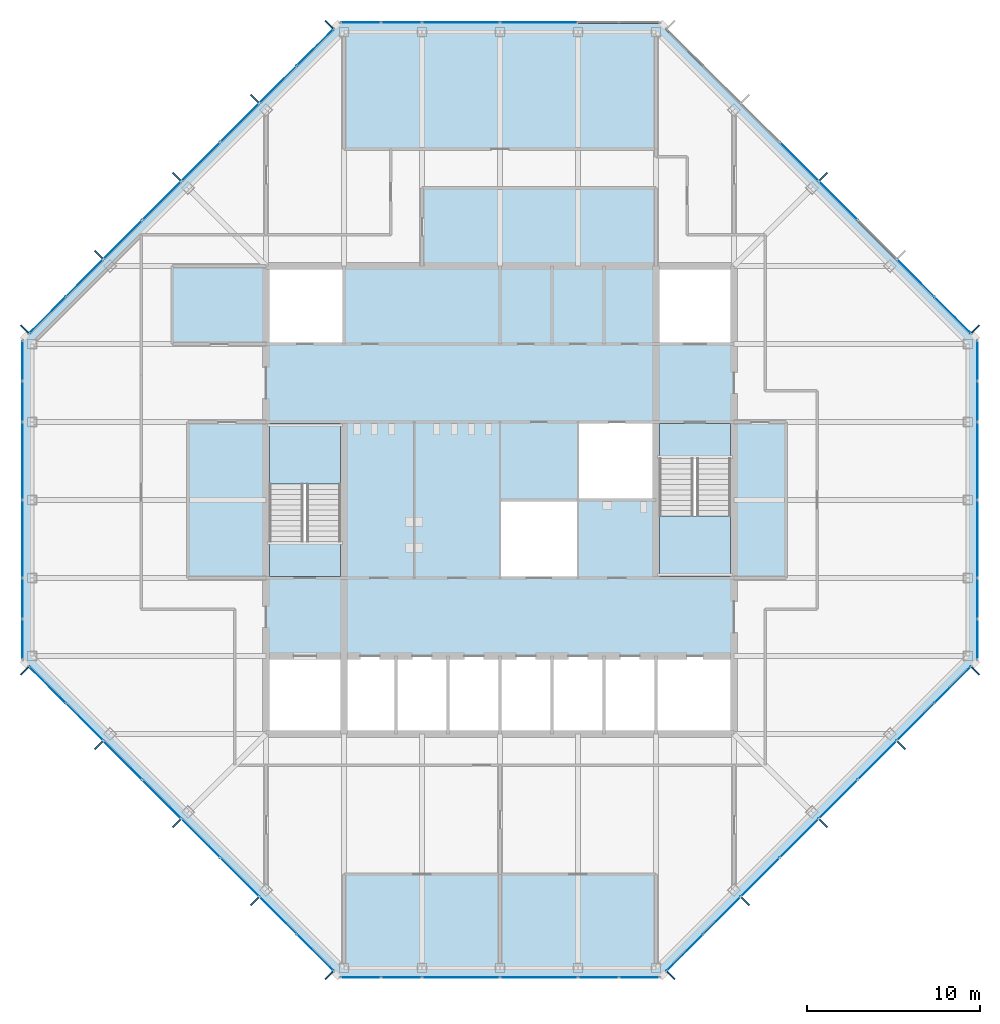
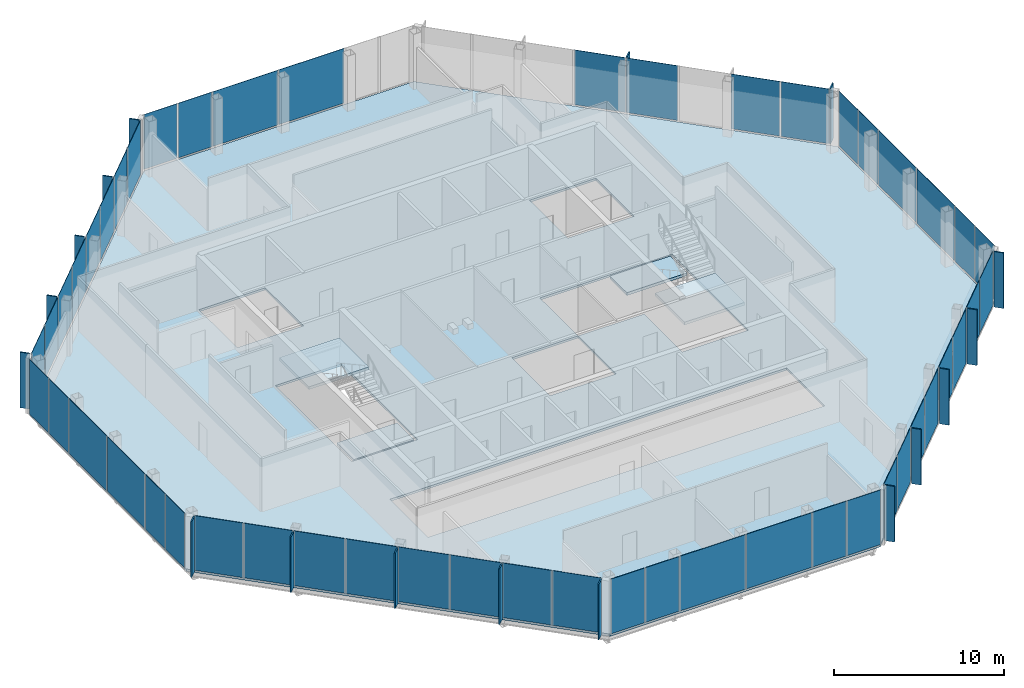
# One storey, part 8 of 13: 67 plates, 5 slabs, 10 elements without a shape of their own.
"""IFC4 building model written with IfcOpenShell, lengths in metres."""

import ifcopenshell
import ifcopenshell.guid

model = None  # the IFC model being written
_history = None  # IfcOwnerHistory: only IFC2X3 demands one
_inside = {}  # id of a spatial element -> (the spatial element, [elements in it])
_under = {}  # id of a project, library or spatial element -> (it, [spatial elements below it])
_declared = {}  # id of a project -> (the project, [libraries it declares])
_typed = {}  # id of a type object -> (the type object, [elements of that type])
_made_of = {}  # id of a material, layer set ... -> (it, [elements and type objects made of it])


def new_model(schema):
    """Start an empty IFC model of exactly this schema.

    Asked for "IFC4X3", IfcOpenShell would pick the latest addendum, in which some entities
    have other attributes; the version numbers below select the first issue.
    IFC2X3 requires an IfcOwnerHistory on every rooted entity: one is made here for all.
    """
    global model, _history
    if schema == "IFC4X3":
        model = ifcopenshell.file(schema_version=(4, 3, 0, 0))
    else:
        model = ifcopenshell.file(schema=schema)
    _inside.clear()
    _under.clear()
    _declared.clear()
    _typed.clear()
    _made_of.clear()
    _history = None
    if model.schema == "IFC2X3":
        org = make("IfcOrganization", Name="unknown")
        user = make(
            "IfcPersonAndOrganization",
            ThePerson=make("IfcPerson", FamilyName="unknown"),
            TheOrganization=org,
        )
        app = make(
            "IfcApplication",
            ApplicationDeveloper=org,
            Version="unknown",
            ApplicationFullName="unknown",
            ApplicationIdentifier="unknown",
        )
        _history = make(
            "IfcOwnerHistory",
            OwningUser=user,
            OwningApplication=app,
            ChangeAction="ADDED",
            CreationDate=0,
        )
    return model


def make(cls, **values):
    """One entity of the class cls with the attributes given. An attribute that is None is left unset."""
    return model.create_entity(
        cls, **{name: value for name, value in values.items() if value is not None}
    )


def rooted(cls, **values):
    """An entity with a GlobalId (a new one), such as an element, a storey or a relation."""
    return make(cls, GlobalId=ifcopenshell.guid.new(), OwnerHistory=_history, **values)


def si_unit(unit_type, name, prefix=None):
    """IfcSIUnit, for example si_unit("LENGTHUNIT", "METRE", prefix="MILLI")."""
    return make("IfcSIUnit", UnitType=unit_type, Prefix=prefix, Name=name)


def assignment(units):
    """IfcUnitAssignment: the units of a project."""
    return None if units is None else make("IfcUnitAssignment", Units=units)


def point(xyz):
    """IfcCartesianPoint."""
    return None if xyz is None else make("IfcCartesianPoint", Coordinates=xyz)


def direction(xyz):
    """IfcDirection."""
    return None if xyz is None else make("IfcDirection", DirectionRatios=xyz)


def frame(location, z_axis=None, x_axis=None):
    """IfcAxis2Placement3D, a coordinate frame: its origin and axes. An axis left out is left unset."""
    return make(
        "IfcAxis2Placement3D",
        Location=point(location),
        Axis=direction(z_axis),
        RefDirection=direction(x_axis),
    )


def frame_2d(location, x_axis=None):
    """IfcAxis2Placement2D, a coordinate frame in the plane: its origin and x axis."""
    return make(
        "IfcAxis2Placement2D", Location=point(location), RefDirection=direction(x_axis)
    )


def origin():
    """The frame at (0, 0, 0) with its axes left unset."""
    return frame((0.0, 0.0, 0.0))


def origin_2d():
    """The frame at (0, 0) in the plane with its x axis left unset."""
    return frame_2d((0.0, 0.0))


def place(relative_to, where):
    """IfcLocalPlacement: puts the frame where relative to a parent placement (None: the world)."""
    return make(
        "IfcLocalPlacement", PlacementRelTo=relative_to, RelativePlacement=where
    )


def context(
    kind, dimensions, precision=None, world=None, true_north=None, identifier=None
):
    """IfcGeometricRepresentationContext, for example the 3D "Model" context."""
    return make(
        "IfcGeometricRepresentationContext",
        ContextIdentifier=identifier,
        ContextType=kind,
        CoordinateSpaceDimension=dimensions,
        Precision=precision,
        WorldCoordinateSystem=world,
        TrueNorth=true_north,
    )


def subcontext(parent, identifier, kind, view, scale=None):
    """IfcGeometricRepresentationSubContext, for example "Body" below "Model"."""
    return make(
        "IfcGeometricRepresentationSubContext",
        ContextIdentifier=identifier,
        ContextType=kind,
        ParentContext=parent,
        TargetScale=scale,
        TargetView=view,
    )


def project(units=None, contexts=None):
    """IfcProject with its units and contexts."""
    return rooted(
        "IfcProject",
        Name="project",
        RepresentationContexts=contexts,
        UnitsInContext=assignment(units),
    )


def spatial(cls, under=None, at=None, **own):
    """A site, building, storey or space (cls), placed at a placement, below another one or the project."""
    s = rooted(cls, ObjectPlacement=at, **own)
    if under is not None:
        _under.setdefault(under.id(), (under, []))[1].append(s)
    return s


def polyline(points):
    """IfcPolyline through the points."""
    return make("IfcPolyline", Points=[point(p) for p in points])


def profile(cls, at=None, kind="AREA", **sizes):
    """A parametric profile (cls). Its sizes go by their IFC names, for example OverallWidth=200.0."""
    return make(cls, ProfileType=kind, Position=at, **sizes)


def rectangle(**sizes):
    """IfcRectangleProfileDef."""
    return profile("IfcRectangleProfileDef", **sizes)


def outline(outer, holes=None, kind="AREA"):
    """IfcArbitraryClosedProfileDef: a profile drawn as a closed curve; with holes, ...WithVoids."""
    if holes is None:
        return make("IfcArbitraryClosedProfileDef", ProfileType=kind, OuterCurve=outer)
    return make(
        "IfcArbitraryProfileDefWithVoids",
        ProfileType=kind,
        OuterCurve=outer,
        InnerCurves=holes,
    )


def extrude(swept, where, along, depth):
    """IfcExtrudedAreaSolid: the profile swept, set in the frame where, extruded along a direction by depth."""
    return make(
        "IfcExtrudedAreaSolid",
        SweptArea=swept,
        Position=where,
        ExtrudedDirection=direction(along),
        Depth=depth,
    )


def shape(context_of_items, identifier, shape_type, items):
    """IfcShapeRepresentation: the items that make up one representation, for example the "Body"."""
    return make(
        "IfcShapeRepresentation",
        ContextOfItems=context_of_items,
        RepresentationIdentifier=identifier,
        RepresentationType=shape_type,
        Items=items,
    )


def material(Name=None, Category=None):
    """IfcMaterial."""
    return make("IfcMaterial", Name=Name, Category=Category)


def layer(
    of_material, thickness, ventilated=None, Name=None, Category=None, Priority=None
):
    """IfcMaterialLayer: one layer of a wall or slab, of a material (None: an air gap)."""
    return make(
        "IfcMaterialLayer",
        Material=of_material,
        LayerThickness=thickness,
        IsVentilated=ventilated,
        Name=Name,
        Category=Category,
        Priority=Priority,
    )


def layer_set(layers, Name=None):
    """IfcMaterialLayerSet."""
    return make("IfcMaterialLayerSet", MaterialLayers=layers, LayerSetName=Name)


def made_of(thing, what):
    """Note that an element or type object is made of a material, layer set ...; save() writes the relation."""
    if what is not None:
        _made_of.setdefault(what.id(), (what, []))[1].append(thing)
    return thing


def type_object(cls, material=None, **own):
    """A type object (cls), such as IfcWallType, which elements share."""
    return made_of(rooted(cls, **own), material)


def element(
    cls,
    number,
    at=None,
    inside=None,
    cuts=None,
    type_object=None,
    material=None,
    context=None,
    identifier="Body",
    shape_type=None,
    held_by="IfcProductDefinitionShape",
    body=None,
    shapes=None,
    **own,
):
    """One element of the class cls, such as IfcWall. Its Tag is "e" and its number.

    at: its placement. inside: the storey or other place that contains it. cuts: it is an
    opening in that element (IfcRelVoidsElement). A single representation is given by context,
    identifier, shape_type and body (its items); several are given by shapes. held_by: the class
    of the entity that holds the representations. save() writes the other relations.
    """
    e = rooted(cls, Tag="e%d" % number, ObjectPlacement=at, **own)
    if body is not None:
        shapes = [shape(context, identifier, shape_type, body)]
    if shapes is not None:
        e.Representation = make(held_by, Representations=shapes)
    if inside is not None:
        _inside.setdefault(inside.id(), (inside, []))[1].append(e)
    if cuts is not None:
        rooted(
            "IfcRelVoidsElement", RelatingBuildingElement=cuts, RelatedOpeningElement=e
        )
    if type_object is not None:
        _typed.setdefault(type_object.id(), (type_object, []))[1].append(e)
    return made_of(e, material)


def aggregate(whole, parts):
    """IfcRelAggregates: a whole, such as a stair, and the parts it consists of."""
    return rooted("IfcRelAggregates", RelatingObject=whole, RelatedObjects=parts)


def save(model, path):
    """Write the relations noted so far, then the file.

    IfcRelAggregates (storeys below a building ...), IfcRelContainedInSpatialStructure (elements
    in a storey), IfcRelDefinesByType, IfcRelAssociatesMaterial and IfcRelDeclares: one each for
    every whole, place, type object, material and project.
    """
    for whole, parts in _under.values():
        aggregate(whole, parts)
    for where, things in _inside.values():
        rooted(
            "IfcRelContainedInSpatialStructure",
            RelatedElements=things,
            RelatingStructure=where,
        )
    for kind, things in _typed.values():
        rooted("IfcRelDefinesByType", RelatedObjects=things, RelatingType=kind)
    for what, things in _made_of.values():
        rooted("IfcRelAssociatesMaterial", RelatedObjects=things, RelatingMaterial=what)
    for by, libraries in _declared.values():
        rooted("IfcRelDeclares", RelatingContext=by, RelatedDefinitions=libraries)
    model.write(path)


model = new_model("IFC4")

# Units and contexts
model_context = context("Model", 3, precision=1e-05, world=origin(), true_north=direction((0.0, 1.0)))
body_context = subcontext(model_context, "Body", "Model", "MODEL_VIEW")
ifc_project = project(units=[si_unit("LENGTHUNIT", "METRE"), si_unit("AREAUNIT", "SQUARE_METRE"), si_unit("VOLUMEUNIT", "CUBIC_METRE"), si_unit("PLANEANGLEUNIT", "RADIAN"), si_unit("MASSUNIT", "GRAM", prefix="KILO")], contexts=[model_context])

# Site, building, storey
site_placement = place(None, origin())
site = spatial("IfcSite", under=ifc_project, at=site_placement, CompositionType="ELEMENT")
building_placement = place(site_placement, origin())
building = spatial("IfcBuilding", under=site, at=building_placement, Name="Corais Broadcast Tower", CompositionType="ELEMENT")
storey_placement = place(building_placement, frame((0.0, 0.0, 302.60009765625)))
storey = spatial("IfcBuildingStorey", under=building, at=storey_placement, Name="L71", CompositionType="ELEMENT", Elevation=302.60009765625)

# Slab
ifc_material_1 = material(Name="Concrete C30/37", Category="concrete")
ifc_layer_1 = layer(ifc_material_1, 0.159912109375)
ifc_layer_set_1 = layer_set([ifc_layer_1], Name="Concrete C30/37")
slab_type_1 = type_object("IfcSlabType", Name="Composite floor slab 160", PredefinedType="FLOOR", material=ifc_layer_set_1)
slab_1_placement = place(storey_placement, frame((0.0, 0.0, -0.16015625)))
element("IfcSlab", 1, at=slab_1_placement, inside=storey, type_object=slab_type_1, Name="S160 floor slab L71", PredefinedType="FLOOR", context=body_context, shape_type="SweptSolid", body=[
    extrude(outline(polyline([(17.80126953125, -0.47998046875), (-0.47998046875, 17.80126953125), (-0.47998046875, 36.19873046875), (17.80126953125, 54.47998046875), (36.19873046875, 54.47998046875), (54.47998046875, 36.19873046875), (54.47998046875, 17.80126953125), (36.19873046875, -0.47998046875), (17.80126953125, -0.47998046875)]), holes=[polyline([(13.5, 18.0), (40.5, 18.0), (40.5, 13.5), (13.5, 13.5), (13.5, 18.0)]), polyline([(18.0, 22.5), (13.5, 22.5), (13.5, 31.5), (18.0, 31.5), (18.0, 22.5)]), polyline([(18.0, 36.0), (13.5, 36.0), (13.5, 40.5), (18.0, 40.5), (18.0, 36.0)]), polyline([(31.5, 22.5), (27.0, 22.5), (27.0, 27.0), (31.4951171875, 27.0), (31.4951171875, 27.0048828125), (31.5, 27.0048828125), (31.5, 31.5), (40.5, 31.5), (40.5, 22.5), (36.0, 22.5), (36.0, 27.0), (31.5048828125, 27.0), (31.5048828125, 26.9951171875), (31.5, 26.9951171875), (31.5, 22.5)]), polyline([(40.5, 36.0), (36.0, 36.0), (36.0, 40.5), (40.5, 40.5), (40.5, 36.0)])]), origin(), (0.0, 0.0, 1.0), 0.16015625),
])

# Curtain wall, plates
ifc_material_2 = material(Name="Aluminium and glass", Category="aluminium")
curtain_wall_type = type_object("IfcCurtainWallType", Name="Unitised fritted curtain wall CW3", PredefinedType="NOTDEFINED", material=ifc_material_2)
curtain_wall_1_placement = place(storey_placement, origin())
curtain_wall_1 = element("IfcCurtainWall", 2, at=curtain_wall_1_placement, inside=storey, type_object=curtain_wall_type, Name="CW3 curtain wall L71 1", PredefinedType="NOTDEFINED")
ifc_material_3 = material(Name="Ceramic-fritted laminated glass", Category="glass")
ifc_layer_2 = layer(ifc_material_3, 0.02587890625)
ifc_layer_set_2 = layer_set([ifc_layer_2], Name="Ceramic-fritted laminated glass")
plate_type_1 = type_object("IfcPlateType", Name="Fritted glass panel CW3", PredefinedType="CURTAIN_PANEL", material=ifc_layer_set_2)
plate_1_placement = place(storey_placement, frame((16.330322265625, 0.891845703125, 0.06494140625), z_axis=(0.0, 0.0, 1.0), x_axis=(-0.707106781187, 0.707106781187, 0.0)))
plate_1 = element("IfcPlate", 3, at=plate_1_placement, type_object=plate_type_1, Name="CW3 panel 1", PredefinedType="CURTAIN_PANEL", context=body_context, shape_type="SweptSolid", body=[
    extrude(rectangle(XDim=2.9482421875, YDim=0.02587890625, at=origin_2d()), origin(), (0.0, 0.0, 1.0), 3.93505859375),
])
plate_2_placement = place(storey_placement, frame((11.986083984375, 5.236083984375, 0.06494140625), z_axis=(0.0, 0.0, 1.0), x_axis=(-0.707106781187, 0.707106781187, 0.0)))
plate_2 = element("IfcPlate", 4, at=plate_2_placement, type_object=plate_type_1, Name="CW3 panel 3", PredefinedType="CURTAIN_PANEL", context=body_context, shape_type="SweptSolid", body=[
    extrude(rectangle(XDim=3.116943359375, YDim=0.02587890625, at=origin_2d()), origin(), (0.0, 0.0, 1.0), 3.93505859375),
])
plate_3_placement = place(storey_placement, frame((7.486083984375, 9.736083984375, 0.06494140625), z_axis=(0.0, 0.0, 1.0), x_axis=(-0.707106781187, 0.707106781187, 0.0)))
plate_3 = element("IfcPlate", 5, at=plate_3_placement, type_object=plate_type_1, Name="CW3 panel 5", PredefinedType="CURTAIN_PANEL", context=body_context, shape_type="SweptSolid", body=[
    extrude(rectangle(XDim=3.116943359375, YDim=0.02587890625, at=origin_2d()), origin(), (0.0, 0.0, 1.0), 3.93505859375),
])
plate_4_placement = place(storey_placement, frame((3.0341796875, 14.18798828125, 0.06494140625), z_axis=(0.0, 0.0, 1.0), x_axis=(-0.707106781187, 0.707106781187, 0.0)))
plate_4 = element("IfcPlate", 6, at=plate_4_placement, type_object=plate_type_1, Name="CW3 panel 7", PredefinedType="CURTAIN_PANEL", context=body_context, shape_type="SweptSolid", body=[
    extrude(rectangle(XDim=2.98095703125, YDim=0.02587890625, at=origin_2d()), origin(), (0.0, 0.0, 1.0), 3.93505859375),
])

curtain_wall_2_placement = place(storey_placement, origin())
curtain_wall_2 = element("IfcCurtainWall", 7, at=curtain_wall_2_placement, inside=storey, type_object=curtain_wall_type, Name="CW3 curtain wall L71 2", PredefinedType="NOTDEFINED")
plate_5_placement = place(storey_placement, frame((-0.550048828125, 18.970458984375, 0.06494140625), z_axis=(0.0, 0.0, 1.0), x_axis=(0.0, 1.0, 0.0)))
plate_5 = element("IfcPlate", 8, at=plate_5_placement, type_object=plate_type_1, Name="CW3 panel 1", PredefinedType="CURTAIN_PANEL", context=body_context, shape_type="SweptSolid", body=[
    extrude(rectangle(XDim=2.266357421875, YDim=0.02587890625, at=origin_2d()), origin(), (0.0, 0.0, 1.0), 3.93505859375),
])
plate_6_placement = place(storey_placement, frame((-0.550048828125, 24.75, 0.06494140625), z_axis=(0.0, 0.0, 1.0), x_axis=(0.0, 1.0, 0.0)))
plate_6 = element("IfcPlate", 9, at=plate_6_placement, type_object=plate_type_1, Name="CW3 panel 3", PredefinedType="CURTAIN_PANEL", context=body_context, shape_type="SweptSolid", body=[
    extrude(rectangle(XDim=4.43505859375, YDim=0.02587890625, at=origin_2d()), origin(), (0.0, 0.0, 1.0), 3.93505859375),
])
plate_7_placement = place(storey_placement, frame((-0.550048828125, 32.681884765625, 0.06494140625), z_axis=(0.0, 0.0, 1.0), x_axis=(0.0, 1.0, 0.0)))
plate_7 = element("IfcPlate", 10, at=plate_7_placement, type_object=plate_type_1, Name="CW3 panel 5", PredefinedType="CURTAIN_PANEL", context=body_context, shape_type="SweptSolid", body=[
    extrude(rectangle(XDim=2.298828125, YDim=0.02587890625, at=origin_2d()), origin(), (0.0, 0.0, 1.0), 3.93505859375),
])

curtain_wall_3_placement = place(storey_placement, origin())
curtain_wall_3 = element("IfcCurtainWall", 11, at=curtain_wall_3_placement, inside=storey, type_object=curtain_wall_type, Name="CW3 curtain wall L71 3", PredefinedType="NOTDEFINED")
plate_8_placement = place(storey_placement, frame((0.891845703125, 37.669677734375, 0.06494140625), z_axis=(0.0, 0.0, 1.0), x_axis=(0.707106781187, 0.707106781187, 0.0)))
plate_8 = element("IfcPlate", 12, at=plate_8_placement, type_object=plate_type_1, Name="CW3 panel 1", PredefinedType="CURTAIN_PANEL", context=body_context, shape_type="SweptSolid", body=[
    extrude(rectangle(XDim=2.9482421875, YDim=0.02587890625, at=origin_2d()), origin(), (0.0, 0.0, 1.0), 3.93505859375),
])
plate_9_placement = place(storey_placement, frame((5.236083984375, 42.013916015625, 0.06494140625), z_axis=(0.0, 0.0, 1.0), x_axis=(0.707106781187, 0.707106781187, 0.0)))
plate_9 = element("IfcPlate", 13, at=plate_9_placement, type_object=plate_type_1, Name="CW3 panel 3", PredefinedType="CURTAIN_PANEL", context=body_context, shape_type="SweptSolid", body=[
    extrude(rectangle(XDim=3.116943359375, YDim=0.02587890625, at=origin_2d()), origin(), (0.0, 0.0, 1.0), 3.93505859375),
])
plate_10_placement = place(storey_placement, frame((9.736083984375, 46.513916015625, 0.06494140625), z_axis=(0.0, 0.0, 1.0), x_axis=(0.707106781187, 0.707106781187, 0.0)))
plate_10 = element("IfcPlate", 14, at=plate_10_placement, type_object=plate_type_1, Name="CW3 panel 5", PredefinedType="CURTAIN_PANEL", context=body_context, shape_type="SweptSolid", body=[
    extrude(rectangle(XDim=3.116943359375, YDim=0.02587890625, at=origin_2d()), origin(), (0.0, 0.0, 1.0), 3.93505859375),
])
plate_11_placement = place(storey_placement, frame((14.18798828125, 50.9658203125, 0.06494140625), z_axis=(0.0, 0.0, 1.0), x_axis=(0.707106781187, 0.707106781187, 0.0)))
plate_11 = element("IfcPlate", 15, at=plate_11_placement, type_object=plate_type_1, Name="CW3 panel 7", PredefinedType="CURTAIN_PANEL", context=body_context, shape_type="SweptSolid", body=[
    extrude(rectangle(XDim=2.98095703125, YDim=0.02587890625, at=origin_2d()), origin(), (0.0, 0.0, 1.0), 3.93505859375),
])

curtain_wall_4_placement = place(storey_placement, origin())
curtain_wall_4 = element("IfcCurtainWall", 16, at=curtain_wall_4_placement, inside=storey, type_object=curtain_wall_type, Name="CW3 curtain wall L71 4", PredefinedType="NOTDEFINED")
plate_12_placement = place(storey_placement, frame((18.970458984375, 54.550048828125, 0.06494140625), z_axis=(0.0, 0.0, 1.0), x_axis=(1.0, 0.0, 0.0)))
plate_12 = element("IfcPlate", 17, at=plate_12_placement, type_object=plate_type_1, Name="CW3 panel 1", PredefinedType="CURTAIN_PANEL", context=body_context, shape_type="SweptSolid", body=[
    extrude(rectangle(XDim=2.266357421875, YDim=0.02587890625, at=origin_2d()), origin(), (0.0, 0.0, 1.0), 3.93505859375),
])
plate_13_placement = place(storey_placement, frame((24.75, 54.550048828125, 0.06494140625), z_axis=(0.0, 0.0, 1.0), x_axis=(1.0, 0.0, 0.0)))
plate_13 = element("IfcPlate", 18, at=plate_13_placement, type_object=plate_type_1, Name="CW3 panel 3", PredefinedType="CURTAIN_PANEL", context=body_context, shape_type="SweptSolid", body=[
    extrude(rectangle(XDim=4.43505859375, YDim=0.02587890625, at=origin_2d()), origin(), (0.0, 0.0, 1.0), 3.93505859375),
])

curtain_wall_5_placement = place(storey_placement, origin())
curtain_wall_5 = element("IfcCurtainWall", 19, at=curtain_wall_5_placement, inside=storey, type_object=curtain_wall_type, Name="CW3 curtain wall L71 5", PredefinedType="NOTDEFINED")
plate_14_placement = place(storey_placement, frame((46.513916015625, 44.263916015625, 0.06494140625), z_axis=(0.0, 0.0, 1.0), x_axis=(0.707106781187, -0.707106781187, 0.0)))
plate_14 = element("IfcPlate", 20, at=plate_14_placement, type_object=plate_type_1, Name="CW3 panel 5", PredefinedType="CURTAIN_PANEL", context=body_context, shape_type="SweptSolid", body=[
    extrude(rectangle(XDim=3.116943359375, YDim=0.02587890625, at=origin_2d()), origin(), (0.0, 0.0, 1.0), 3.93505859375),
])
plate_15_placement = place(storey_placement, frame((50.9658203125, 39.81201171875, 0.06494140625), z_axis=(0.0, 0.0, 1.0), x_axis=(0.707106781187, -0.707106781187, 0.0)))
plate_15 = element("IfcPlate", 21, at=plate_15_placement, type_object=plate_type_1, Name="CW3 panel 7", PredefinedType="CURTAIN_PANEL", context=body_context, shape_type="SweptSolid", body=[
    extrude(rectangle(XDim=2.98095703125, YDim=0.02587890625, at=origin_2d()), origin(), (0.0, 0.0, 1.0), 3.93505859375),
])

curtain_wall_6_placement = place(storey_placement, origin())
curtain_wall_6 = element("IfcCurtainWall", 22, at=curtain_wall_6_placement, inside=storey, type_object=curtain_wall_type, Name="CW3 curtain wall L71 6", PredefinedType="NOTDEFINED")
plate_16_placement = place(storey_placement, frame((54.550048828125, 35.029541015625, 0.06494140625), z_axis=(0.0, 0.0, 1.0), x_axis=(0.0, -1.0, 0.0)))
plate_16 = element("IfcPlate", 23, at=plate_16_placement, type_object=plate_type_1, Name="CW3 panel 1", PredefinedType="CURTAIN_PANEL", context=body_context, shape_type="SweptSolid", body=[
    extrude(rectangle(XDim=2.266357421875, YDim=0.02587890625, at=origin_2d()), origin(), (0.0, 0.0, 1.0), 3.93505859375),
])
plate_17_placement = place(storey_placement, frame((54.550048828125, 29.25, 0.06494140625), z_axis=(0.0, 0.0, 1.0), x_axis=(0.0, -1.0, 0.0)))
plate_17 = element("IfcPlate", 24, at=plate_17_placement, type_object=plate_type_1, Name="CW3 panel 3", PredefinedType="CURTAIN_PANEL", context=body_context, shape_type="SweptSolid", body=[
    extrude(rectangle(XDim=4.43505859375, YDim=0.02587890625, at=origin_2d()), origin(), (0.0, 0.0, 1.0), 3.93505859375),
])
plate_18_placement = place(storey_placement, frame((54.550048828125, 21.318115234375, 0.06494140625), z_axis=(0.0, 0.0, 1.0), x_axis=(0.0, -1.0, 0.0)))
plate_18 = element("IfcPlate", 25, at=plate_18_placement, type_object=plate_type_1, Name="CW3 panel 5", PredefinedType="CURTAIN_PANEL", context=body_context, shape_type="SweptSolid", body=[
    extrude(rectangle(XDim=2.298828125, YDim=0.02587890625, at=origin_2d()), origin(), (0.0, 0.0, 1.0), 3.93505859375),
])

curtain_wall_7_placement = place(storey_placement, origin())
curtain_wall_7 = element("IfcCurtainWall", 26, at=curtain_wall_7_placement, inside=storey, type_object=curtain_wall_type, Name="CW3 curtain wall L71 7", PredefinedType="NOTDEFINED")
plate_19_placement = place(storey_placement, frame((53.108154296875, 16.330322265625, 0.06494140625), z_axis=(0.0, 0.0, 1.0), x_axis=(-0.707106781187, -0.707106781187, 0.0)))
plate_19 = element("IfcPlate", 27, at=plate_19_placement, type_object=plate_type_1, Name="CW3 panel 1", PredefinedType="CURTAIN_PANEL", context=body_context, shape_type="SweptSolid", body=[
    extrude(rectangle(XDim=2.9482421875, YDim=0.02587890625, at=origin_2d()), origin(), (0.0, 0.0, 1.0), 3.93505859375),
])
plate_20_placement = place(storey_placement, frame((48.763916015625, 11.986083984375, 0.06494140625), z_axis=(0.0, 0.0, 1.0), x_axis=(-0.707106781187, -0.707106781187, 0.0)))
plate_20 = element("IfcPlate", 28, at=plate_20_placement, type_object=plate_type_1, Name="CW3 panel 3", PredefinedType="CURTAIN_PANEL", context=body_context, shape_type="SweptSolid", body=[
    extrude(rectangle(XDim=3.116943359375, YDim=0.02587890625, at=origin_2d()), origin(), (0.0, 0.0, 1.0), 3.93505859375),
])
plate_21_placement = place(storey_placement, frame((44.263916015625, 7.486083984375, 0.06494140625), z_axis=(0.0, 0.0, 1.0), x_axis=(-0.707106781187, -0.707106781187, 0.0)))
plate_21 = element("IfcPlate", 29, at=plate_21_placement, type_object=plate_type_1, Name="CW3 panel 5", PredefinedType="CURTAIN_PANEL", context=body_context, shape_type="SweptSolid", body=[
    extrude(rectangle(XDim=3.116943359375, YDim=0.02587890625, at=origin_2d()), origin(), (0.0, 0.0, 1.0), 3.93505859375),
])
plate_22_placement = place(storey_placement, frame((39.81201171875, 3.0341796875, 0.06494140625), z_axis=(0.0, 0.0, 1.0), x_axis=(-0.707106781187, -0.707106781187, 0.0)))
plate_22 = element("IfcPlate", 30, at=plate_22_placement, type_object=plate_type_1, Name="CW3 panel 7", PredefinedType="CURTAIN_PANEL", context=body_context, shape_type="SweptSolid", body=[
    extrude(rectangle(XDim=2.98095703125, YDim=0.02587890625, at=origin_2d()), origin(), (0.0, 0.0, 1.0), 3.93505859375),
])

curtain_wall_8_placement = place(storey_placement, origin())
curtain_wall_8 = element("IfcCurtainWall", 31, at=curtain_wall_8_placement, inside=storey, type_object=curtain_wall_type, Name="CW3 curtain wall L71 8", PredefinedType="NOTDEFINED")
plate_23_placement = place(storey_placement, frame((35.029541015625, -0.550048828125, 0.06494140625), z_axis=(0.0, 0.0, 1.0), x_axis=(-1.0, 0.0, 0.0)))
plate_23 = element("IfcPlate", 32, at=plate_23_placement, type_object=plate_type_1, Name="CW3 panel 1", PredefinedType="CURTAIN_PANEL", context=body_context, shape_type="SweptSolid", body=[
    extrude(rectangle(XDim=2.266357421875, YDim=0.02587890625, at=origin_2d()), origin(), (0.0, 0.0, 1.0), 3.93505859375),
])
plate_24_placement = place(storey_placement, frame((29.25, -0.550048828125, 0.06494140625), z_axis=(0.0, 0.0, 1.0), x_axis=(-1.0, 0.0, 0.0)))
plate_24 = element("IfcPlate", 33, at=plate_24_placement, type_object=plate_type_1, Name="CW3 panel 3", PredefinedType="CURTAIN_PANEL", context=body_context, shape_type="SweptSolid", body=[
    extrude(rectangle(XDim=4.43505859375, YDim=0.02587890625, at=origin_2d()), origin(), (0.0, 0.0, 1.0), 3.93505859375),
])
plate_25_placement = place(storey_placement, frame((21.318115234375, -0.550048828125, 0.06494140625), z_axis=(0.0, 0.0, 1.0), x_axis=(-1.0, 0.0, 0.0)))
plate_25 = element("IfcPlate", 34, at=plate_25_placement, type_object=plate_type_1, Name="CW3 panel 5", PredefinedType="CURTAIN_PANEL", context=body_context, shape_type="SweptSolid", body=[
    extrude(rectangle(XDim=2.298828125, YDim=0.02587890625, at=origin_2d()), origin(), (0.0, 0.0, 1.0), 3.93505859375),
])

# Plate
ifc_material_4 = material(Name="Clear laminated glass", Category="glass")
ifc_layer_3 = layer(ifc_material_4, 0.030029296875)
ifc_layer_set_3 = layer_set([ifc_layer_3], Name="Clear laminated glass")
plate_type_2 = type_object("IfcPlateType", Name="Operable glass panel CW3", PredefinedType="CURTAIN_PANEL", material=ifc_layer_set_3)
plate_26_placement = place(storey_placement, frame((14.18798828125, 3.0341796875, 0.06494140625), z_axis=(0.0, 0.0, 1.0), x_axis=(-0.707106781187, 0.707106781187, 0.0)))
plate_26 = element("IfcPlate", 35, at=plate_26_placement, type_object=plate_type_2, Name="CW3 operable panel 2", PredefinedType="CURTAIN_PANEL", context=body_context, shape_type="SweptSolid", body=[
    extrude(rectangle(XDim=2.98095703125, YDim=0.030029296875, at=origin_2d()), origin(), (0.0, 0.0, 1.0), 3.93505859375),
])

plate_27_placement = place(storey_placement, frame((9.736083984375, 7.486083984375, 0.06494140625), z_axis=(0.0, 0.0, 1.0), x_axis=(-0.707106781187, 0.707106781187, 0.0)))
plate_27 = element("IfcPlate", 36, at=plate_27_placement, type_object=plate_type_2, Name="CW3 operable panel 4", PredefinedType="CURTAIN_PANEL", context=body_context, shape_type="SweptSolid", body=[
    extrude(rectangle(XDim=3.116943359375, YDim=0.030029296875, at=origin_2d()), origin(), (0.0, 0.0, 1.0), 3.93505859375),
])

plate_28_placement = place(storey_placement, frame((5.236083984375, 11.986083984375, 0.06494140625), z_axis=(0.0, 0.0, 1.0), x_axis=(-0.707106781187, 0.707106781187, 0.0)))
plate_28 = element("IfcPlate", 37, at=plate_28_placement, type_object=plate_type_2, Name="CW3 operable panel 6", PredefinedType="CURTAIN_PANEL", context=body_context, shape_type="SweptSolid", body=[
    extrude(rectangle(XDim=3.116943359375, YDim=0.030029296875, at=origin_2d()), origin(), (0.0, 0.0, 1.0), 3.93505859375),
])

plate_29_placement = place(storey_placement, frame((0.89208984375, 16.330322265625, 0.06494140625), z_axis=(0.0, 0.0, 1.0), x_axis=(-0.707106781187, 0.707106781187, 0.0)))
plate_29 = element("IfcPlate", 38, at=plate_29_placement, type_object=plate_type_2, Name="CW3 operable panel 8", PredefinedType="CURTAIN_PANEL", context=body_context, shape_type="SweptSolid", body=[
    extrude(rectangle(XDim=2.948486328125, YDim=0.030029296875, at=origin_2d()), origin(), (0.0, 0.0, 1.0), 3.93505859375),
])

aggregate(curtain_wall_1, [plate_1, plate_26, plate_2, plate_27, plate_3, plate_28, plate_4, plate_29])

plate_30_placement = place(storey_placement, frame((-0.550048828125, 21.318115234375, 0.06494140625), z_axis=(0.0, 0.0, 1.0), x_axis=(0.0, 1.0, 0.0)))
plate_30 = element("IfcPlate", 39, at=plate_30_placement, type_object=plate_type_2, Name="CW3 operable panel 2", PredefinedType="CURTAIN_PANEL", context=body_context, shape_type="SweptSolid", body=[
    extrude(rectangle(XDim=2.298828125, YDim=0.030029296875, at=origin_2d()), origin(), (0.0, 0.0, 1.0), 3.93505859375),
])

plate_31_placement = place(storey_placement, frame((-0.550048828125, 29.25, 0.06494140625), z_axis=(0.0, 0.0, 1.0), x_axis=(0.0, 1.0, 0.0)))
plate_31 = element("IfcPlate", 40, at=plate_31_placement, type_object=plate_type_2, Name="CW3 operable panel 4", PredefinedType="CURTAIN_PANEL", context=body_context, shape_type="SweptSolid", body=[
    extrude(rectangle(XDim=4.43505859375, YDim=0.030029296875, at=origin_2d()), origin(), (0.0, 0.0, 1.0), 3.93505859375),
])

plate_32_placement = place(storey_placement, frame((-0.550048828125, 35.029541015625, 0.06494140625), z_axis=(0.0, 0.0, 1.0), x_axis=(0.0, 1.0, 0.0)))
plate_32 = element("IfcPlate", 41, at=plate_32_placement, type_object=plate_type_2, Name="CW3 operable panel 6", PredefinedType="CURTAIN_PANEL", context=body_context, shape_type="SweptSolid", body=[
    extrude(rectangle(XDim=2.266357421875, YDim=0.030029296875, at=origin_2d()), origin(), (0.0, 0.0, 1.0), 3.93505859375),
])

aggregate(curtain_wall_2, [plate_5, plate_30, plate_6, plate_31, plate_7, plate_32])

plate_33_placement = place(storey_placement, frame((3.0341796875, 39.81201171875, 0.06494140625), z_axis=(0.0, 0.0, 1.0), x_axis=(0.707106781187, 0.707106781187, 0.0)))
plate_33 = element("IfcPlate", 42, at=plate_33_placement, type_object=plate_type_2, Name="CW3 operable panel 2", PredefinedType="CURTAIN_PANEL", context=body_context, shape_type="SweptSolid", body=[
    extrude(rectangle(XDim=2.98095703125, YDim=0.030029296875, at=origin_2d()), origin(), (0.0, 0.0, 1.0), 3.93505859375),
])

plate_34_placement = place(storey_placement, frame((7.486083984375, 44.263916015625, 0.06494140625), z_axis=(0.0, 0.0, 1.0), x_axis=(0.707106781187, 0.707106781187, 0.0)))
plate_34 = element("IfcPlate", 43, at=plate_34_placement, type_object=plate_type_2, Name="CW3 operable panel 4", PredefinedType="CURTAIN_PANEL", context=body_context, shape_type="SweptSolid", body=[
    extrude(rectangle(XDim=3.116943359375, YDim=0.030029296875, at=origin_2d()), origin(), (0.0, 0.0, 1.0), 3.93505859375),
])

plate_35_placement = place(storey_placement, frame((11.986083984375, 48.763916015625, 0.06494140625), z_axis=(0.0, 0.0, 1.0), x_axis=(0.707106781187, 0.707106781187, 0.0)))
plate_35 = element("IfcPlate", 44, at=plate_35_placement, type_object=plate_type_2, Name="CW3 operable panel 6", PredefinedType="CURTAIN_PANEL", context=body_context, shape_type="SweptSolid", body=[
    extrude(rectangle(XDim=3.116943359375, YDim=0.030029296875, at=origin_2d()), origin(), (0.0, 0.0, 1.0), 3.93505859375),
])

plate_36_placement = place(storey_placement, frame((16.330322265625, 53.10791015625, 0.06494140625), z_axis=(0.0, 0.0, 1.0), x_axis=(0.707106781187, 0.707106781187, 0.0)))
plate_36 = element("IfcPlate", 45, at=plate_36_placement, type_object=plate_type_2, Name="CW3 operable panel 8", PredefinedType="CURTAIN_PANEL", context=body_context, shape_type="SweptSolid", body=[
    extrude(rectangle(XDim=2.948486328125, YDim=0.030029296875, at=origin_2d()), origin(), (0.0, 0.0, 1.0), 3.93505859375),
])

aggregate(curtain_wall_3, [plate_8, plate_33, plate_9, plate_34, plate_10, plate_35, plate_11, plate_36])

plate_37_placement = place(storey_placement, frame((21.318115234375, 54.550048828125, 0.06494140625), z_axis=(0.0, 0.0, 1.0), x_axis=(1.0, 0.0, 0.0)))
plate_37 = element("IfcPlate", 46, at=plate_37_placement, type_object=plate_type_2, Name="CW3 operable panel 2", PredefinedType="CURTAIN_PANEL", context=body_context, shape_type="SweptSolid", body=[
    extrude(rectangle(XDim=2.298828125, YDim=0.030029296875, at=origin_2d()), origin(), (0.0, 0.0, 1.0), 3.93505859375),
])

plate_38_placement = place(storey_placement, frame((29.25, 54.550048828125, 0.06494140625), z_axis=(0.0, 0.0, 1.0), x_axis=(1.0, 0.0, 0.0)))
plate_38 = element("IfcPlate", 47, at=plate_38_placement, type_object=plate_type_2, Name="CW3 operable panel 4", PredefinedType="CURTAIN_PANEL", context=body_context, shape_type="SweptSolid", body=[
    extrude(rectangle(XDim=4.43505859375, YDim=0.030029296875, at=origin_2d()), origin(), (0.0, 0.0, 1.0), 3.93505859375),
])

aggregate(curtain_wall_4, [plate_12, plate_37, plate_13, plate_38])

plate_39_placement = place(storey_placement, frame((44.263916015625, 46.513916015625, 0.06494140625), z_axis=(0.0, 0.0, 1.0), x_axis=(0.707106781187, -0.707106781187, 0.0)))
plate_39 = element("IfcPlate", 48, at=plate_39_placement, type_object=plate_type_2, Name="CW3 operable panel 4", PredefinedType="CURTAIN_PANEL", context=body_context, shape_type="SweptSolid", body=[
    extrude(rectangle(XDim=3.116943359375, YDim=0.030029296875, at=origin_2d()), origin(), (0.0, 0.0, 1.0), 3.93505859375),
])

plate_40_placement = place(storey_placement, frame((53.10791015625, 37.669677734375, 0.06494140625), z_axis=(0.0, 0.0, 1.0), x_axis=(0.707106781187, -0.707106781187, 0.0)))
plate_40 = element("IfcPlate", 49, at=plate_40_placement, type_object=plate_type_2, Name="CW3 operable panel 8", PredefinedType="CURTAIN_PANEL", context=body_context, shape_type="SweptSolid", body=[
    extrude(rectangle(XDim=2.948486328125, YDim=0.030029296875, at=origin_2d()), origin(), (0.0, 0.0, 1.0), 3.93505859375),
])

aggregate(curtain_wall_5, [plate_39, plate_14, plate_15, plate_40])

plate_41_placement = place(storey_placement, frame((54.550048828125, 32.681884765625, 0.06494140625), z_axis=(0.0, 0.0, 1.0), x_axis=(0.0, -1.0, 0.0)))
plate_41 = element("IfcPlate", 50, at=plate_41_placement, type_object=plate_type_2, Name="CW3 operable panel 2", PredefinedType="CURTAIN_PANEL", context=body_context, shape_type="SweptSolid", body=[
    extrude(rectangle(XDim=2.298828125, YDim=0.030029296875, at=origin_2d()), origin(), (0.0, 0.0, 1.0), 3.93505859375),
])

plate_42_placement = place(storey_placement, frame((54.550048828125, 24.75, 0.06494140625), z_axis=(0.0, 0.0, 1.0), x_axis=(0.0, -1.0, 0.0)))
plate_42 = element("IfcPlate", 51, at=plate_42_placement, type_object=plate_type_2, Name="CW3 operable panel 4", PredefinedType="CURTAIN_PANEL", context=body_context, shape_type="SweptSolid", body=[
    extrude(rectangle(XDim=4.43505859375, YDim=0.030029296875, at=origin_2d()), origin(), (0.0, 0.0, 1.0), 3.93505859375),
])

plate_43_placement = place(storey_placement, frame((54.550048828125, 18.970458984375, 0.06494140625), z_axis=(0.0, 0.0, 1.0), x_axis=(0.0, -1.0, 0.0)))
plate_43 = element("IfcPlate", 52, at=plate_43_placement, type_object=plate_type_2, Name="CW3 operable panel 6", PredefinedType="CURTAIN_PANEL", context=body_context, shape_type="SweptSolid", body=[
    extrude(rectangle(XDim=2.266357421875, YDim=0.030029296875, at=origin_2d()), origin(), (0.0, 0.0, 1.0), 3.93505859375),
])

aggregate(curtain_wall_6, [plate_16, plate_41, plate_17, plate_42, plate_18, plate_43])

plate_44_placement = place(storey_placement, frame((50.9658203125, 14.18798828125, 0.06494140625), z_axis=(0.0, 0.0, 1.0), x_axis=(-0.707106781187, -0.707106781187, 0.0)))
plate_44 = element("IfcPlate", 53, at=plate_44_placement, type_object=plate_type_2, Name="CW3 operable panel 2", PredefinedType="CURTAIN_PANEL", context=body_context, shape_type="SweptSolid", body=[
    extrude(rectangle(XDim=2.98095703125, YDim=0.030029296875, at=origin_2d()), origin(), (0.0, 0.0, 1.0), 3.93505859375),
])

plate_45_placement = place(storey_placement, frame((46.513916015625, 9.736083984375, 0.06494140625), z_axis=(0.0, 0.0, 1.0), x_axis=(-0.707106781187, -0.707106781187, 0.0)))
plate_45 = element("IfcPlate", 54, at=plate_45_placement, type_object=plate_type_2, Name="CW3 operable panel 4", PredefinedType="CURTAIN_PANEL", context=body_context, shape_type="SweptSolid", body=[
    extrude(rectangle(XDim=3.116943359375, YDim=0.030029296875, at=origin_2d()), origin(), (0.0, 0.0, 1.0), 3.93505859375),
])

plate_46_placement = place(storey_placement, frame((42.013916015625, 5.236083984375, 0.06494140625), z_axis=(0.0, 0.0, 1.0), x_axis=(-0.707106781187, -0.707106781187, 0.0)))
plate_46 = element("IfcPlate", 55, at=plate_46_placement, type_object=plate_type_2, Name="CW3 operable panel 6", PredefinedType="CURTAIN_PANEL", context=body_context, shape_type="SweptSolid", body=[
    extrude(rectangle(XDim=3.116943359375, YDim=0.030029296875, at=origin_2d()), origin(), (0.0, 0.0, 1.0), 3.93505859375),
])

plate_47_placement = place(storey_placement, frame((37.669677734375, 0.89208984375, 0.06494140625), z_axis=(0.0, 0.0, 1.0), x_axis=(-0.707106781187, -0.707106781187, 0.0)))
plate_47 = element("IfcPlate", 56, at=plate_47_placement, type_object=plate_type_2, Name="CW3 operable panel 8", PredefinedType="CURTAIN_PANEL", context=body_context, shape_type="SweptSolid", body=[
    extrude(rectangle(XDim=2.948486328125, YDim=0.030029296875, at=origin_2d()), origin(), (0.0, 0.0, 1.0), 3.93505859375),
])

aggregate(curtain_wall_7, [plate_19, plate_44, plate_20, plate_45, plate_21, plate_46, plate_22, plate_47])

plate_48_placement = place(storey_placement, frame((32.681884765625, -0.550048828125, 0.06494140625), z_axis=(0.0, 0.0, 1.0), x_axis=(-1.0, 0.0, 0.0)))
plate_48 = element("IfcPlate", 57, at=plate_48_placement, type_object=plate_type_2, Name="CW3 operable panel 2", PredefinedType="CURTAIN_PANEL", context=body_context, shape_type="SweptSolid", body=[
    extrude(rectangle(XDim=2.298828125, YDim=0.030029296875, at=origin_2d()), origin(), (0.0, 0.0, 1.0), 3.93505859375),
])

plate_49_placement = place(storey_placement, frame((24.75, -0.550048828125, 0.06494140625), z_axis=(0.0, 0.0, 1.0), x_axis=(-1.0, 0.0, 0.0)))
plate_49 = element("IfcPlate", 58, at=plate_49_placement, type_object=plate_type_2, Name="CW3 operable panel 4", PredefinedType="CURTAIN_PANEL", context=body_context, shape_type="SweptSolid", body=[
    extrude(rectangle(XDim=4.43505859375, YDim=0.030029296875, at=origin_2d()), origin(), (0.0, 0.0, 1.0), 3.93505859375),
])

plate_50_placement = place(storey_placement, frame((18.970458984375, -0.550048828125, 0.06494140625), z_axis=(0.0, 0.0, 1.0), x_axis=(-1.0, 0.0, 0.0)))
plate_50 = element("IfcPlate", 59, at=plate_50_placement, type_object=plate_type_2, Name="CW3 operable panel 6", PredefinedType="CURTAIN_PANEL", context=body_context, shape_type="SweptSolid", body=[
    extrude(rectangle(XDim=2.266357421875, YDim=0.030029296875, at=origin_2d()), origin(), (0.0, 0.0, 1.0), 3.93505859375),
])

aggregate(curtain_wall_8, [plate_23, plate_48, plate_24, plate_49, plate_25, plate_50])

# Stair, slabs
ifc_material_5 = material(Name="Concrete C30/37", Category="concrete")
stair_type = type_object("IfcStairType", Name="Half-turn stair 4000", PredefinedType="HALF_TURN_STAIR", material=ifc_material_5)
stair_1_placement = place(storey_placement, origin())
stair_1 = element("IfcStair", 60, at=stair_1_placement, inside=storey, type_object=stair_type, Name="Stair A L71", PredefinedType="HALF_TURN_STAIR")
ifc_material_6 = material(Name="Concrete C30/37", Category="concrete")
ifc_layer_4 = layer(ifc_material_6, 0.199951171875)
ifc_layer_set_4 = layer_set([ifc_layer_4], Name="Concrete C30/37")
slab_type_2 = type_object("IfcSlabType", Name="Stair landing 200", PredefinedType="LANDING", material=ifc_layer_set_4)
slab_2_placement = place(storey_placement, frame((0.0, 0.0, -0.2001953125)))
slab_2 = element("IfcSlab", 61, at=slab_2_placement, type_object=slab_type_2, Name="STA landing 1", PredefinedType="LANDING", context=body_context, shape_type="SweptSolid", body=[
    extrude(outline(polyline([(13.699951171875, 22.60009765625), (17.800048828125, 22.60009765625), (17.800048828125, 24.60009765625), (13.699951171875, 24.60009765625), (13.699951171875, 22.60009765625)])), origin(), (0.0, 0.0, 1.0), 0.2001953125),
])
slab_3_placement = place(storey_placement, frame((0.0, 0.0, 1.7998046875)))
slab_3 = element("IfcSlab", 62, at=slab_3_placement, type_object=slab_type_2, Name="STA landing 2", PredefinedType="LANDING", context=body_context, shape_type="SweptSolid", body=[
    extrude(outline(polyline([(13.699951171875, 27.922119140625), (17.800048828125, 27.922119140625), (17.800048828125, 31.39990234375), (13.699951171875, 31.39990234375), (13.699951171875, 27.922119140625)])), origin(), (0.0, 0.0, 1.0), 0.2001953125),
])
aggregate(stair_1, [slab_2, slab_3])

stair_2_placement = place(storey_placement, origin())
stair_2 = element("IfcStair", 63, at=stair_2_placement, inside=storey, type_object=stair_type, Name="Stair B L71", PredefinedType="HALF_TURN_STAIR")
slab_4_placement = place(storey_placement, frame((0.0, 0.0, -0.2001953125)))
slab_4 = element("IfcSlab", 64, at=slab_4_placement, type_object=slab_type_2, Name="STB landing 1", PredefinedType="LANDING", context=body_context, shape_type="SweptSolid", body=[
    extrude(outline(polyline([(36.199951171875, 29.39990234375), (40.300048828125, 29.39990234375), (40.300048828125, 31.39990234375), (36.199951171875, 31.39990234375), (36.199951171875, 29.39990234375)])), origin(), (0.0, 0.0, 1.0), 0.2001953125),
])
slab_5_placement = place(storey_placement, frame((0.0, 0.0, 1.7998046875)))
slab_5 = element("IfcSlab", 65, at=slab_5_placement, type_object=slab_type_2, Name="STB landing 2", PredefinedType="LANDING", context=body_context, shape_type="SweptSolid", body=[
    extrude(outline(polyline([(36.199951171875, 22.60009765625), (40.300048828125, 22.60009765625), (40.300048828125, 26.077880859375), (36.199951171875, 26.077880859375), (36.199951171875, 22.60009765625)])), origin(), (0.0, 0.0, 1.0), 0.2001953125),
])
aggregate(stair_2, [slab_4, slab_5])

# Plates
ifc_material_7 = material(Name="Granite stone cladding", Category="masonry")
ifc_layer_5 = layer(ifc_material_7, 0.080078125)
ifc_layer_set_5 = layer_set([ifc_layer_5], Name="Granite stone cladding")
plate_type_3 = type_object("IfcPlateType", Name="Stone screen fin 80x600", PredefinedType="USERDEFINED", material=ifc_layer_set_5)
for number, where, z_axis, x_axis, name in (
    (66, (17.129150390625, -0.43994140625, 0.0), (0.0, 0.0, 1.0), (-0.707106781187, 0.707106781187, 0.0), "SF1 stone screen fin L71"),
    (67, (12.844482421875, 3.844482421875, 0.0), (0.0, 0.0, 1.0), (-0.707106781187, 0.707106781187, 0.0), "SF1 stone screen fin L71"),
    (68, (8.344482421875, 8.344482421875, 0.0), (0.0, 0.0, 1.0), (-0.707106781187, 0.707106781187, 0.0), "SF1 stone screen fin L71"),
    (69, (3.844482421875, 12.844482421875, 0.0), (0.0, 0.0, 1.0), (-0.707106781187, 0.707106781187, 0.0), "SF1 stone screen fin L71"),
    (70, (-0.43994140625, 17.129150390625, 0.0), (0.0, 0.0, 1.0), (-0.707106781187, 0.707106781187, 0.0), "SF1 stone screen fin L71"),
    (71, (-0.43994140625, 36.870849609375, 0.0), (0.0, 0.0, 1.0), (0.707106781187, 0.707106781187, 0.0), "SF1 stone screen fin L71"),
    (72, (3.844482421875, 41.155517578125, 0.0), (0.0, 0.0, 1.0), (0.707106781187, 0.707106781187, 0.0), "SF1 stone screen fin L71"),
    (73, (8.344482421875, 45.655517578125, 0.0), (0.0, 0.0, 1.0), (0.707106781187, 0.707106781187, 0.0), "SF1 stone screen fin L71"),
    (74, (12.844482421875, 50.155517578125, 0.0), (0.0, 0.0, 1.0), (0.707106781187, 0.707106781187, 0.0), "SF1 stone screen fin L71"),
    (75, (17.129150390625, 54.43994140625, 0.0), (0.0, 0.0, 1.0), (0.707106781187, 0.707106781187, 0.0), "SF1 stone screen fin L71"),
    (76, (45.655517578125, 45.655517578125, 0.0), (0.0, 0.0, 1.0), (0.707106781187, -0.707106781187, 0.0), "SF1 stone screen fin L71"),
    (77, (54.43994140625, 36.870849609375, 0.0), (0.0, 0.0, 1.0), (0.707106781187, -0.707106781187, 0.0), "SF1 stone screen fin L71"),
    (78, (54.43994140625, 17.129150390625, 0.0), (0.0, 0.0, 1.0), (-0.707106781187, -0.707106781187, 0.0), "SF1 stone screen fin L71"),
    (79, (50.155517578125, 12.844482421875, 0.0), (0.0, 0.0, 1.0), (-0.707106781187, -0.707106781187, 0.0), "SF1 stone screen fin L71"),
    (80, (45.655517578125, 8.344482421875, 0.0), (0.0, 0.0, 1.0), (-0.707106781187, -0.707106781187, 0.0), "SF1 stone screen fin L71"),
    (81, (41.155517578125, 3.844482421875, 0.0), (0.0, 0.0, 1.0), (-0.707106781187, -0.707106781187, 0.0), "SF1 stone screen fin L71"),
    (82, (36.870849609375, -0.43994140625, 0.0), (0.0, 0.0, 1.0), (-0.707106781187, -0.707106781187, 0.0), "SF1 stone screen fin L71"),
):
    element("IfcPlate", number, at=place(storey_placement, frame(where, z_axis=z_axis, x_axis=x_axis)), inside=storey, type_object=plate_type_3, Name=name, ObjectType="STONE SCREEN FIN", PredefinedType="USERDEFINED", context=body_context, shape_type="SweptSolid", body=[
        extrude(rectangle(XDim=0.080078125, YDim=0.60009765625, at=origin_2d()), origin(), (0.0, 0.0, 1.0), 4.0),
    ])

save(model, "model.ifc")
